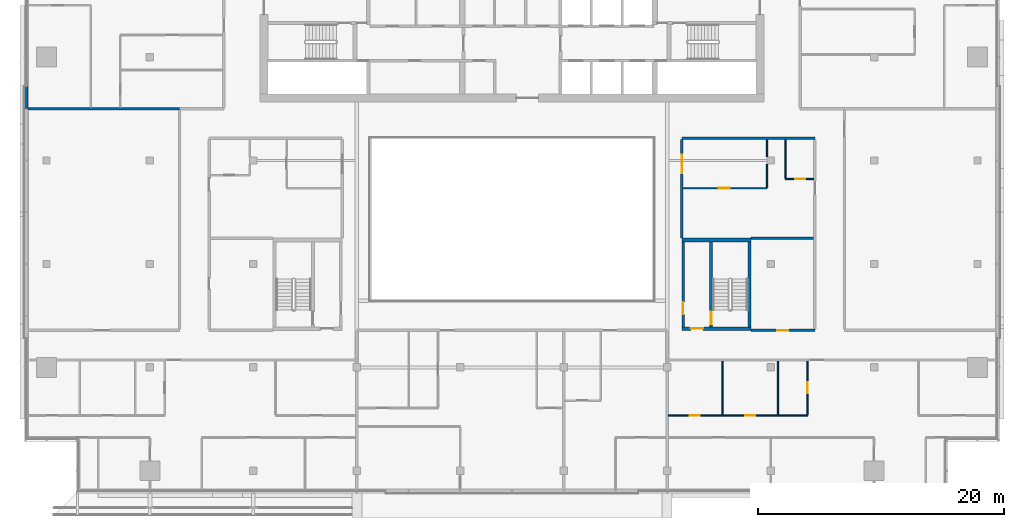
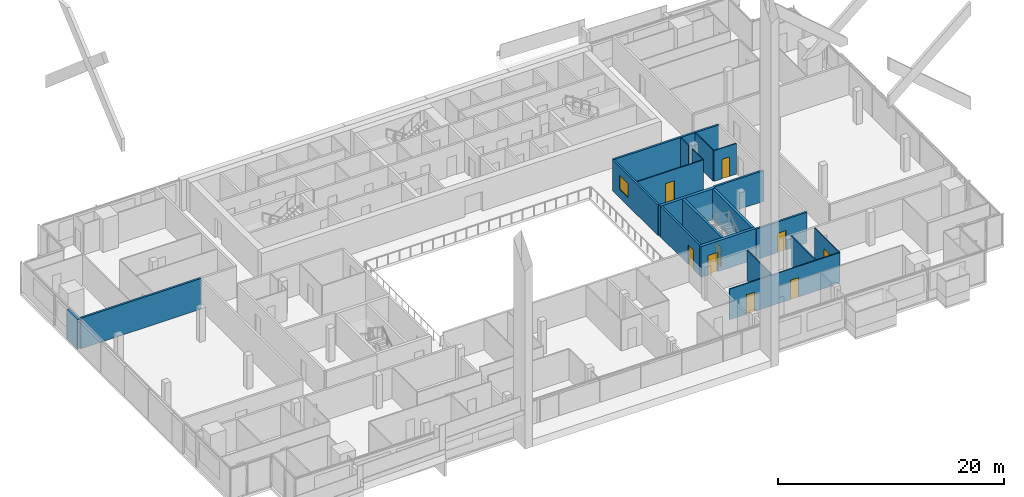
# One storey, part 21 of 31: 20 walls, 9 doors, 1 window, 10 openings.
"""IFC4 building model written with IfcOpenShell, lengths in metres."""

from ifc_helpers import new_model, si_unit, direction, frame, frame_2d, origin, place, context, subcontext, project, spatial, rectangle, extrude, material, layer, layer_set, type_object, element, fill, save


model = new_model("IFC4")

# Units and contexts
model_context = context("Model", 3, precision=1e-05, world=origin(), true_north=direction((0.0, 1.0)))
body_context = subcontext(model_context, "Body", "Model", "MODEL_VIEW")
ifc_project = project(units=[si_unit("LENGTHUNIT", "METRE"), si_unit("AREAUNIT", "SQUARE_METRE"), si_unit("VOLUMEUNIT", "CUBIC_METRE"), si_unit("PLANEANGLEUNIT", "RADIAN"), si_unit("MASSUNIT", "GRAM", prefix="KILO")], contexts=[model_context])

# Site, building, storey
site_placement = place(None, origin())
site = spatial("IfcSite", under=ifc_project, at=site_placement, CompositionType="ELEMENT")
building_placement = place(site_placement, origin())
building = spatial("IfcBuilding", under=site, at=building_placement, Name="Saffron Gate Tower", CompositionType="ELEMENT")
storey_placement = place(building_placement, frame((0.0, 0.0, 205.5)))
storey = spatial("IfcBuildingStorey", under=building, at=storey_placement, Name="L49", CompositionType="ELEMENT", Elevation=205.5)

# Wall, opening, door
ifc_material_1 = material(Name="Gypsum board partition on steel studs", Category="steel")
ifc_layer_1 = layer(ifc_material_1, 0.199951171875)
ifc_layer_set_1 = layer_set([ifc_layer_1], Name="CW10 Core partition 200")
wall_type_1 = type_object("IfcWallType", Name="CW10 Core partition 200", PredefinedType="PARTITIONING", material=ifc_layer_set_1)
wall_1_placement = place(storey_placement, frame((101.5, 43.5, 0.0), z_axis=(0.0, 0.0, 1.0), x_axis=(0.0, 1.0, 0.0)))
wall_1 = element("IfcWall", 1, at=wall_1_placement, inside=storey, type_object=wall_type_1, Name="Wall CW10-L49-E-2", PredefinedType="PARTITIONING", context=body_context, shape_type="SweptSolid", body=[
    extrude(rectangle(XDim=6.89990234375, YDim=0.199951171875, at=frame_2d((3.449951171875, 0.0))), origin(), (0.0, 0.0, 1.0), 3.320068359375),
])
opening_1_placement = place(wall_1_placement, frame((1.0, 0.0, 0.0)))
opening_1 = element("IfcOpeningElement", 2, at=opening_1_placement, cuts=wall_1, Name="Opening CR-22", PredefinedType="OPENING", context=body_context, shape_type="SweptSolid", body=[
    extrude(rectangle(XDim=1.0, YDim=2.10009765625, at=frame_2d((0.5, 1.050048828125))), frame((0.0, 0.10986328125, 0.0), z_axis=(0.0, -1.0, 0.0), x_axis=(1.0, 0.0, 0.0)), (0.0, 0.0, 1.0), 0.219970703125),
])
ifc_material_2 = material(Name="Steel fire door set", Category="steel")
door_type_1 = type_object("IfcDoorType", Name="CD4 Lobby door 1000x2100 EI 120", OperationType="NOTDEFINED", PredefinedType="DOOR", material=ifc_material_2)
door_1_placement = place(opening_1_placement, origin())
door_1 = element("IfcDoor", 3, at=door_1_placement, inside=storey, type_object=door_type_1, Name="DOOR CR-22", OperationType="SINGLE_SWING_LEFT", OverallHeight=2.10009765625, OverallWidth=1.0, PredefinedType="DOOR", context=body_context, shape_type="SweptSolid", body=[
    extrude(rectangle(XDim=1.0, YDim=2.10009765625, at=frame_2d((0.5, 1.050048828125))), frame((0.0, 0.02490234375, 0.0), z_axis=(0.0, -1.0, 0.0), x_axis=(1.0, 0.0, 0.0)), (0.0, 0.0, 1.0), 0.050048828125),
])
fill(opening_1, door_1)

ifc_material_3 = material(Name="Concrete C60", Category="concrete")
ifc_layer_2 = layer(ifc_material_3, 0.25)
ifc_layer_set_2 = layer_set([ifc_layer_2], Name="CW14 RC core wall 250 C60")
wall_type_2 = type_object("IfcWallType", Name="CW14 RC core wall 250 C60", PredefinedType="SOLIDWALL", material=ifc_layer_set_2)
wall_2_placement = place(storey_placement, frame((103.77490234375, 43.5, 0.0), z_axis=(0.0, 0.0, 1.0), x_axis=(0.0, 1.0, 0.0)))
wall_2 = element("IfcWall", 4, at=wall_2_placement, inside=storey, type_object=wall_type_2, Name="Wall CW14-L49-E-3", PredefinedType="SOLIDWALL", context=body_context, shape_type="SweptSolid", body=[
    extrude(rectangle(XDim=6.89990234375, YDim=0.25, at=frame_2d((3.449951171875, 0.0))), origin(), (0.0, 0.0, 1.0), 3.320068359375),
])
opening_2_placement = place(wall_2_placement, frame((0.199951171875, 0.0, 0.0)))
opening_2 = element("IfcOpeningElement", 5, at=opening_2_placement, cuts=wall_2, Name="Opening CR-23", PredefinedType="OPENING", context=body_context, shape_type="SweptSolid", body=[
    extrude(rectangle(XDim=1.0, YDim=2.10009765625, at=frame_2d((0.5, 1.050048828125))), frame((0.0, 0.135009765625, 0.0), z_axis=(0.0, -1.0, 0.0), x_axis=(1.0, 0.0, 0.0)), (0.0, 0.0, 1.0), 0.27001953125),
])
door_type_2 = type_object("IfcDoorType", Name="CD5 Stair door 1000x2100 EI 120", OperationType="NOTDEFINED", PredefinedType="DOOR", material=ifc_material_2)
door_2_placement = place(opening_2_placement, origin())
door_2 = element("IfcDoor", 6, at=door_2_placement, inside=storey, type_object=door_type_2, Name="DOOR CR-23", OperationType="SINGLE_SWING_RIGHT", OverallHeight=2.10009765625, OverallWidth=1.0, PredefinedType="DOOR", context=body_context, shape_type="SweptSolid", body=[
    extrude(rectangle(XDim=1.0, YDim=2.10009765625, at=frame_2d((0.5, 1.050048828125))), frame((0.0, 0.02490234375, 0.0), z_axis=(0.0, -1.0, 0.0), x_axis=(1.0, 0.0, 0.0)), (0.0, 0.0, 1.0), 0.050048828125),
])
fill(opening_2, door_2)

# Wall
wall_3_placement = place(storey_placement, frame((106.875, 43.5, 0.0), z_axis=(0.0, 0.0, 1.0), x_axis=(0.0, 1.0, 0.0)))
element("IfcWall", 7, at=wall_3_placement, inside=storey, type_object=wall_type_2, Name="Wall CW14-L49-E-4", PredefinedType="SOLIDWALL", context=body_context, shape_type="SweptSolid", body=[
    extrude(rectangle(XDim=6.89990234375, YDim=0.25, at=frame_2d((3.449951171875, 0.0))), origin(), (0.0, 0.0, 1.0), 3.320068359375),
])

# Wall, opening, door
ifc_layer_3 = layer(ifc_material_3, 0.300048828125)
ifc_layer_set_3 = layer_set([ifc_layer_3], Name="CW17 RC core wall 300 C60")
wall_type_3 = type_object("IfcWallType", Name="CW17 RC core wall 300 C60", PredefinedType="SOLIDWALL", material=ifc_layer_set_3)
wall_4_placement = place(storey_placement, frame((101.39990234375, 43.35009765625, 0.0), z_axis=(0.0, 0.0, 1.0), x_axis=(1.0, 0.0, 0.0)))
wall_4 = element("IfcWall", 8, at=wall_4_placement, inside=storey, type_object=wall_type_3, Name="Wall CW17-L49-E-1", PredefinedType="SOLIDWALL", context=body_context, shape_type="SweptSolid", body=[
    extrude(rectangle(XDim=5.60009765625, YDim=0.300048828125, at=frame_2d((2.800048828125, 0.0))), origin(), (0.0, 0.0, 1.0), 3.320068359375),
])
opening_3_placement = place(wall_4_placement, frame((0.72509765625, 0.0, 0.0)))
opening_3 = element("IfcOpeningElement", 9, at=opening_3_placement, cuts=wall_4, Name="Opening CR-21", PredefinedType="OPENING", context=body_context, shape_type="SweptSolid", body=[
    extrude(rectangle(XDim=1.0, YDim=2.10009765625, at=frame_2d((0.5, 1.050048828125))), frame((0.0, 0.16015625, 0.0), z_axis=(0.0, -1.0, 0.0), x_axis=(1.0, 0.0, 0.0)), (0.0, 0.0, 1.0), 0.320068359375),
])
door_3_placement = place(opening_3_placement, origin())
door_3 = element("IfcDoor", 10, at=door_3_placement, inside=storey, type_object=door_type_1, Name="DOOR CR-21", OperationType="SINGLE_SWING_RIGHT", OverallHeight=2.10009765625, OverallWidth=1.0, PredefinedType="DOOR", context=body_context, shape_type="SweptSolid", body=[
    extrude(rectangle(XDim=1.0, YDim=2.10009765625, at=frame_2d((0.5, 1.050048828125))), frame((0.0, 0.02490234375, 0.0), z_axis=(0.0, -1.0, 0.0), x_axis=(1.0, 0.0, 0.0)), (0.0, 0.0, 1.0), 0.050048828125),
])
fill(opening_3, door_3)

# Wall
wall_5_placement = place(storey_placement, frame((101.39990234375, 50.550048828125, 0.0), z_axis=(0.0, 0.0, 1.0), x_axis=(1.0, 0.0, 0.0)))
element("IfcWall", 11, at=wall_5_placement, inside=storey, type_object=wall_type_3, Name="Wall CW17-L49-E-5", PredefinedType="SOLIDWALL", context=body_context, shape_type="SweptSolid", body=[
    extrude(rectangle(XDim=5.60009765625, YDim=0.300048828125, at=frame_2d((2.800048828125, 0.0))), origin(), (0.0, 0.0, 1.0), 3.320068359375),
])

# Wall, openings, doors
ifc_material_4 = material(Name="Plasterboard on steel studs", Category="steel")
ifc_layer_4 = layer(ifc_material_4, 0.10009765625)
ifc_layer_set_4 = layer_set([ifc_layer_4], Name="PW1 Partition 100")
wall_type_4 = type_object("IfcWallType", Name="PW1 Partition 100", PredefinedType="PARTITIONING", material=ifc_layer_set_4)
wall_6_placement = place(storey_placement, frame((100.300048828125, 36.300048828125, 0.0), z_axis=(0.0, 0.0, 1.0), x_axis=(1.0, 0.0, 0.0)))
wall_6 = element("IfcWall", 12, at=wall_6_placement, inside=storey, type_object=wall_type_4, Name="Partition D1-7", PredefinedType="PARTITIONING", context=body_context, shape_type="SweptSolid", body=[
    extrude(rectangle(XDim=11.300048828125, YDim=0.10009765625, at=frame_2d((5.64990234375, 0.0))), origin(), (0.0, 0.0, 1.0), 3.320068359375),
])
opening_4_placement = place(wall_6_placement, frame((1.75, 0.0, 0.0)))
opening_4 = element("IfcOpeningElement", 13, at=opening_4_placement, cuts=wall_6, Name="Opening D1-36", PredefinedType="OPENING", context=body_context, shape_type="SweptSolid", body=[
    extrude(rectangle(XDim=0.800048828125, YDim=2.10009765625, at=frame_2d((0.39990234375, 1.050048828125))), frame((0.0, 0.06005859375, 0.0), z_axis=(0.0, -1.0, 0.0), x_axis=(1.0, 0.0, 0.0)), (0.0, 0.0, 1.0), 0.1201171875),
])
opening_5_placement = place(wall_6_placement, frame((6.25, 0.0, 0.0)))
opening_5 = element("IfcOpeningElement", 14, at=opening_5_placement, cuts=wall_6, Name="Opening D1-37", PredefinedType="OPENING", context=body_context, shape_type="SweptSolid", body=[
    extrude(rectangle(XDim=0.800048828125, YDim=2.10009765625, at=frame_2d((0.39990234375, 1.050048828125))), frame((0.0, 0.06005859375, 0.0), z_axis=(0.0, -1.0, 0.0), x_axis=(1.0, 0.0, 0.0)), (0.0, 0.0, 1.0), 0.1201171875),
])
ifc_material_5 = material(Name="Timber door set", Category="wood")
door_type_3 = type_object("IfcDoorType", Name="RD2 Bathroom door 800x2100", OperationType="NOTDEFINED", PredefinedType="DOOR", material=ifc_material_5)
door_4_placement = place(opening_4_placement, origin())
door_4 = element("IfcDoor", 15, at=door_4_placement, inside=storey, type_object=door_type_3, Name="Door D1-36", OperationType="SINGLE_SWING_LEFT", OverallHeight=2.10009765625, OverallWidth=0.800048828125, PredefinedType="DOOR", context=body_context, shape_type="SweptSolid", body=[
    extrude(rectangle(XDim=0.800048828125, YDim=2.10009765625, at=frame_2d((0.39990234375, 1.050048828125))), frame((0.0, 0.02490234375, 0.0), z_axis=(0.0, -1.0, 0.0), x_axis=(1.0, 0.0, 0.0)), (0.0, 0.0, 1.0), 0.050048828125),
])
fill(opening_4, door_4)
door_5_placement = place(opening_5_placement, origin())
door_5 = element("IfcDoor", 16, at=door_5_placement, inside=storey, type_object=door_type_3, Name="Door D1-37", OperationType="SINGLE_SWING_RIGHT", OverallHeight=2.10009765625, OverallWidth=0.800048828125, PredefinedType="DOOR", context=body_context, shape_type="SweptSolid", body=[
    extrude(rectangle(XDim=0.800048828125, YDim=2.10009765625, at=frame_2d((0.39990234375, 1.050048828125))), frame((0.0, 0.02490234375, 0.0), z_axis=(0.0, -1.0, 0.0), x_axis=(1.0, 0.0, 0.0)), (0.0, 0.0, 1.0), 0.050048828125),
])
fill(opening_5, door_5)

# Wall, opening, door
wall_7_placement = place(storey_placement, frame((101.5, 54.75, 0.0), z_axis=(0.0, 0.0, 1.0), x_axis=(1.0, 0.0, 0.0)))
wall_7 = element("IfcWall", 17, at=wall_7_placement, inside=storey, type_object=wall_type_4, Name="Partition D1-24", PredefinedType="PARTITIONING", context=body_context, shape_type="SweptSolid", body=[
    extrude(rectangle(XDim=6.800048828125, YDim=0.10009765625, at=frame_2d((3.39990234375, 0.0))), origin(), (0.0, 0.0, 1.0), 3.320068359375),
])
opening_6_placement = place(wall_7_placement, frame((2.89990234375, 0.0, 0.0)))
opening_6 = element("IfcOpeningElement", 18, at=opening_6_placement, cuts=wall_7, Name="Opening D1-31", PredefinedType="OPENING", context=body_context, shape_type="SweptSolid", body=[
    extrude(rectangle(XDim=0.89990234375, YDim=2.10009765625, at=frame_2d((0.449951171875, 1.050048828125))), frame((0.0, 0.06005859375, 0.0), z_axis=(0.0, -1.0, 0.0), x_axis=(1.0, 0.0, 0.0)), (0.0, 0.0, 1.0), 0.1201171875),
])
door_type_4 = type_object("IfcDoorType", Name="RD1 Room door 900x2100", OperationType="NOTDEFINED", PredefinedType="DOOR", material=ifc_material_5)
door_6_placement = place(opening_6_placement, origin())
door_6 = element("IfcDoor", 19, at=door_6_placement, inside=storey, type_object=door_type_4, Name="Door D1-31", OperationType="SINGLE_SWING_LEFT", OverallHeight=2.10009765625, OverallWidth=0.89990234375, PredefinedType="DOOR", context=body_context, shape_type="SweptSolid", body=[
    extrude(rectangle(XDim=0.89990234375, YDim=2.10009765625, at=frame_2d((0.449951171875, 1.050048828125))), frame((0.0, 0.02490234375, 0.0), z_axis=(0.0, -1.0, 0.0), x_axis=(1.0, 0.0, 0.0)), (0.0, 0.0, 1.0), 0.050048828125),
])
fill(opening_6, door_6)

wall_8_placement = place(storey_placement, frame((109.800048828125, 55.5, 0.0), z_axis=(0.0, 0.0, 1.0), x_axis=(1.0, 0.0, 0.0)))
wall_8 = element("IfcWall", 20, at=wall_8_placement, inside=storey, type_object=wall_type_4, Name="Partition D1-25", PredefinedType="PARTITIONING", context=body_context, shape_type="SweptSolid", body=[
    extrude(rectangle(XDim=2.300048828125, YDim=0.10009765625, at=frame_2d((1.14990234375, 0.0))), origin(), (0.0, 0.0, 1.0), 3.320068359375),
])
opening_7_placement = place(wall_8_placement, frame((0.800048828125, 0.0, 0.0)))
opening_7 = element("IfcOpeningElement", 21, at=opening_7_placement, cuts=wall_8, Name="Opening D1-41", PredefinedType="OPENING", context=body_context, shape_type="SweptSolid", body=[
    extrude(rectangle(XDim=0.800048828125, YDim=2.10009765625, at=frame_2d((0.39990234375, 1.050048828125))), frame((0.0, 0.06005859375, 0.0), z_axis=(0.0, -1.0, 0.0), x_axis=(1.0, 0.0, 0.0)), (0.0, 0.0, 1.0), 0.1201171875),
])
door_7_placement = place(opening_7_placement, origin())
door_7 = element("IfcDoor", 22, at=door_7_placement, inside=storey, type_object=door_type_3, Name="Door D1-41", OperationType="SINGLE_SWING_RIGHT", OverallHeight=2.10009765625, OverallWidth=0.800048828125, PredefinedType="DOOR", context=body_context, shape_type="SweptSolid", body=[
    extrude(rectangle(XDim=0.800048828125, YDim=2.10009765625, at=frame_2d((0.39990234375, 1.050048828125))), frame((0.0, 0.02490234375, 0.0), z_axis=(0.0, -1.0, 0.0), x_axis=(1.0, 0.0, 0.0)), (0.0, 0.0, 1.0), 0.050048828125),
])
fill(opening_7, door_7)

# Walls
wall_9_placement = place(storey_placement, frame((104.699951171875, 40.699951171875, 0.0), z_axis=(0.0, 0.0, 1.0), x_axis=(0.0, -1.0, 0.0)))
element("IfcWall", 23, at=wall_9_placement, inside=storey, type_object=wall_type_4, Name="Partition D1-83", PredefinedType="PARTITIONING", context=body_context, shape_type="SweptSolid", body=[
    extrude(rectangle(XDim=4.349853515625, YDim=0.10009765625, at=frame_2d((2.1748046875, 0.0))), origin(), (0.0, 0.0, 1.0), 3.320068359375),
])
wall_10_placement = place(storey_placement, frame((108.300048828125, 56.679931640625, 0.0), z_axis=(0.0, 0.0, 1.0), x_axis=(0.0, -1.0, 0.0)))
element("IfcWall", 24, at=wall_10_placement, inside=storey, type_object=wall_type_4, Name="Partition D1-84", PredefinedType="PARTITIONING", context=body_context, shape_type="SweptSolid", body=[
    extrude(rectangle(XDim=1.8798828125, YDim=0.10009765625, at=frame_2d((0.93994140625, 0.0))), origin(), (0.0, 0.0, 1.0), 3.320068359375),
])
wall_11_placement = place(storey_placement, frame((108.300048828125, 58.699951171875, 0.0), z_axis=(0.0, 0.0, 1.0), x_axis=(0.0, -1.0, 0.0)))
element("IfcWall", 25, at=wall_11_placement, inside=storey, type_object=wall_type_4, Name="Partition D1-85", PredefinedType="PARTITIONING", context=body_context, shape_type="SweptSolid", body=[
    extrude(rectangle(XDim=1.3798828125, YDim=0.10009765625, at=frame_2d((0.68994140625, 0.0))), origin(), (0.0, 0.0, 1.0), 3.320068359375),
])
wall_12_placement = place(storey_placement, frame((109.199951171875, 40.699951171875, 0.0), z_axis=(0.0, 0.0, 1.0), x_axis=(0.0, -1.0, 0.0)))
element("IfcWall", 26, at=wall_12_placement, inside=storey, type_object=wall_type_4, Name="Partition D1-88", PredefinedType="PARTITIONING", context=body_context, shape_type="SweptSolid", body=[
    extrude(rectangle(XDim=4.349853515625, YDim=0.10009765625, at=frame_2d((2.1748046875, 0.0))), origin(), (0.0, 0.0, 1.0), 3.320068359375),
])
wall_13_placement = place(storey_placement, frame((109.800048828125, 58.699951171875, 0.0), z_axis=(0.0, 0.0, 1.0), x_axis=(0.0, -1.0, 0.0)))
element("IfcWall", 27, at=wall_13_placement, inside=storey, type_object=wall_type_4, Name="Partition D1-89", PredefinedType="PARTITIONING", context=body_context, shape_type="SweptSolid", body=[
    extrude(rectangle(XDim=3.14990234375, YDim=0.10009765625, at=frame_2d((1.574951171875, 0.0))), origin(), (0.0, 0.0, 1.0), 3.320068359375),
])

# Wall, opening, door
wall_14_placement = place(storey_placement, frame((111.60009765625, 36.35009765625, 0.0), z_axis=(0.0, 0.0, 1.0), x_axis=(0.0, 1.0, 0.0)))
wall_14 = element("IfcWall", 28, at=wall_14_placement, inside=storey, type_object=wall_type_4, Name="Partition D1-91", PredefinedType="PARTITIONING", context=body_context, shape_type="SweptSolid", body=[
    extrude(rectangle(XDim=4.349853515625, YDim=0.10009765625, at=frame_2d((2.1748046875, 0.0))), origin(), (0.0, 0.0, 1.0), 3.320068359375),
])
opening_8_placement = place(wall_14_placement, frame((1.75, 0.0, 0.0)))
opening_8 = element("IfcOpeningElement", 29, at=opening_8_placement, cuts=wall_14, Name="Opening D1-23", PredefinedType="OPENING", context=body_context, shape_type="SweptSolid", body=[
    extrude(rectangle(XDim=0.89990234375, YDim=2.10009765625, at=frame_2d((0.449951171875, 1.050048828125))), frame((0.0, 0.06005859375, 0.0), z_axis=(0.0, -1.0, 0.0), x_axis=(1.0, 0.0, 0.0)), (0.0, 0.0, 1.0), 0.1201171875),
])
door_8_placement = place(opening_8_placement, origin())
door_8 = element("IfcDoor", 30, at=door_8_placement, inside=storey, type_object=door_type_4, Name="Door D1-23", OperationType="SINGLE_SWING_RIGHT", OverallHeight=2.10009765625, OverallWidth=0.89990234375, PredefinedType="DOOR", context=body_context, shape_type="SweptSolid", body=[
    extrude(rectangle(XDim=0.89990234375, YDim=2.10009765625, at=frame_2d((0.449951171875, 1.050048828125))), frame((0.0, 0.02490234375, 0.0), z_axis=(0.0, -1.0, 0.0), x_axis=(1.0, 0.0, 0.0)), (0.0, 0.0, 1.0), 0.050048828125),
])
fill(opening_8, door_8)

# Wall
ifc_material_6 = material(Name="Clay brick masonry, rendered", Category="masonry")
ifc_layer_5 = layer(ifc_material_6, 0.199951171875)
ifc_layer_set_5 = layer_set([ifc_layer_5], Name="PW2 Demising wall 200")
wall_type_5 = type_object("IfcWallType", Name="PW2 Demising wall 200", PredefinedType="PARTITIONING", material=ifc_layer_set_5)
wall_15_placement = place(storey_placement, frame((107.0, 50.699951171875, 0.0), z_axis=(0.0, 0.0, 1.0), x_axis=(1.0, 0.0, 0.0)))
element("IfcWall", 31, at=wall_15_placement, inside=storey, type_object=wall_type_5, Name="Wall D1-22", PredefinedType="PARTITIONING", context=body_context, shape_type="SweptSolid", body=[
    extrude(rectangle(XDim=5.10009765625, YDim=0.199951171875, at=frame_2d((2.550048828125, 0.0))), origin(), (0.0, 0.0, 1.0), 3.320068359375),
])

# Wall, opening, door
ifc_layer_6 = layer(ifc_material_6, 0.199951171875)
ifc_layer_set_6 = layer_set([ifc_layer_6], Name="PW3 Corridor wall 200")
wall_type_6 = type_object("IfcWallType", Name="PW3 Corridor wall 200", PredefinedType="PARTITIONING", material=ifc_layer_set_6)
wall_16_placement = place(storey_placement, frame((107.0, 43.199951171875, 0.0), z_axis=(0.0, 0.0, 1.0), x_axis=(1.0, 0.0, 0.0)))
wall_16 = element("IfcWall", 32, at=wall_16_placement, inside=storey, type_object=wall_type_6, Name="Wall D1-19", PredefinedType="PARTITIONING", context=body_context, shape_type="SweptSolid", body=[
    extrude(rectangle(XDim=5.199951171875, YDim=0.199951171875, at=frame_2d((2.60009765625, 0.0))), origin(), (0.0, 0.0, 1.0), 3.320068359375),
])
opening_9_placement = place(wall_16_placement, frame((2.14990234375, 0.0, 0.0)))
opening_9 = element("IfcOpeningElement", 33, at=opening_9_placement, cuts=wall_16, Name="Opening D1-42", PredefinedType="OPENING", context=body_context, shape_type="SweptSolid", body=[
    extrude(rectangle(XDim=0.89990234375, YDim=2.10009765625, at=frame_2d((0.449951171875, 1.050048828125))), frame((0.0, 0.10986328125, 0.0), z_axis=(0.0, -1.0, 0.0), x_axis=(1.0, 0.0, 0.0)), (0.0, 0.0, 1.0), 0.219970703125),
])
door_type_5 = type_object("IfcDoorType", Name="SD1 Service door 900x2100", OperationType="NOTDEFINED", PredefinedType="DOOR", material=ifc_material_2)
door_9_placement = place(opening_9_placement, origin())
door_9 = element("IfcDoor", 34, at=door_9_placement, inside=storey, type_object=door_type_5, Name="Door D1-42", OperationType="SINGLE_SWING_LEFT", OverallHeight=2.10009765625, OverallWidth=0.89990234375, PredefinedType="DOOR", context=body_context, shape_type="SweptSolid", body=[
    extrude(rectangle(XDim=0.89990234375, YDim=2.10009765625, at=frame_2d((0.449951171875, 1.050048828125))), frame((0.0, 0.02490234375, 0.0), z_axis=(0.0, -1.0, 0.0), x_axis=(1.0, 0.0, 0.0)), (0.0, 0.0, 1.0), 0.050048828125),
])
fill(opening_9, door_9)

# Wall
wall_17_placement = place(storey_placement, frame((101.39990234375, 58.800048828125, 0.0), z_axis=(0.0, 0.0, 1.0), x_axis=(1.0, 0.0, 0.0)))
element("IfcWall", 35, at=wall_17_placement, inside=storey, type_object=wall_type_6, Name="Wall D1-28", PredefinedType="PARTITIONING", context=body_context, shape_type="SweptSolid", body=[
    extrude(rectangle(XDim=10.800048828125, YDim=0.199951171875, at=frame_2d((5.39990234375, 0.0))), origin(), (0.0, 0.0, 1.0), 3.320068359375),
])

# Wall, opening, window
wall_18_placement = place(storey_placement, frame((101.39990234375, 58.699951171875, 0.0), z_axis=(0.0, 0.0, 1.0), x_axis=(0.0, -1.0, 0.0)))
wall_18 = element("IfcWall", 36, at=wall_18_placement, inside=storey, type_object=wall_type_6, Name="Wall D1-82", PredefinedType="PARTITIONING", context=body_context, shape_type="SweptSolid", body=[
    extrude(rectangle(XDim=8.0, YDim=0.199951171875, at=frame_2d((4.0, 0.0))), origin(), (0.0, 0.0, 1.0), 3.320068359375),
])
opening_10_placement = place(wall_18_placement, frame((1.22509765625, 0.0, 0.89990234375)))
opening_10 = element("IfcOpeningElement", 37, at=opening_10_placement, cuts=wall_18, Name="Opening GW1", PredefinedType="OPENING", context=body_context, shape_type="SweptSolid", body=[
    extrude(rectangle(XDim=1.5, YDim=1.5, at=frame_2d((0.75, 0.75))), frame((0.0, 0.10986328125, 0.0), z_axis=(0.0, -1.0, 0.0), x_axis=(1.0, 0.0, 0.0)), (0.0, 0.0, 1.0), 0.219970703125),
])
ifc_material_7 = material(Name="Fire-resisting laminated glass in steel frame", Category="steel")
ifc_layer_7 = layer(ifc_material_7, 0.06005859375)
ifc_layer_set_7 = layer_set([ifc_layer_7], Name="GW1 Gallery window 1500x1500")
window_type = type_object("IfcWindowType", Name="GW1 Gallery window 1500x1500", PartitioningType="SINGLE_PANEL", PredefinedType="WINDOW", material=ifc_layer_set_7)
window_placement = place(opening_10_placement, origin())
window = element("IfcWindow", 38, at=window_placement, inside=storey, type_object=window_type, Name="GW1 window D1-K-B1", OverallHeight=1.5, OverallWidth=1.5, PartitioningType="SINGLE_PANEL", PredefinedType="WINDOW", context=body_context, shape_type="SweptSolid", body=[
    extrude(rectangle(XDim=1.5, YDim=1.5, at=frame_2d((0.75, 0.75))), frame((0.0, 0.030029296875, 0.0), z_axis=(0.0, -1.0, 0.0), x_axis=(1.0, 0.0, 0.0)), (0.0, 0.0, 1.0), 0.06005859375),
])
fill(opening_10, window)

# Walls
ifc_layer_8 = layer(ifc_material_6, 0.199951171875)
ifc_layer_set_8 = layer_set([ifc_layer_8], Name="PW5 Room wall 200")
wall_type_7 = type_object("IfcWallType", Name="PW5 Room wall 200", PredefinedType="PARTITIONING", material=ifc_layer_set_8)
wall_19_placement = place(storey_placement, frame((48.280029296875, 61.199951171875, 0.0), z_axis=(0.0, 0.0, 1.0), x_axis=(1.0, 0.0, 0.0)))
element("IfcWall", 39, at=wall_19_placement, inside=storey, type_object=wall_type_7, Name="Wall D1-31", PredefinedType="PARTITIONING", context=body_context, shape_type="SweptSolid", body=[
    extrude(rectangle(XDim=12.320068359375, YDim=0.199951171875, at=frame_2d((6.16015625, 0.0))), origin(), (0.0, 0.0, 1.0), 3.320068359375),
])
ifc_material_8 = material(Name="Reinforced concrete C40/50 with mineral wool insulation", Category="concrete")
ifc_layer_9 = layer(ifc_material_8, 0.30810546875)
ifc_layer_set_9 = layer_set([ifc_layer_9], Name="WBAY3 arch bay insulated wall")
wall_type_8 = type_object("IfcWallType", Name="WBAY3 arch bay insulated wall", PredefinedType="SOLIDWALL", material=ifc_layer_set_9)
wall_20_placement = place(storey_placement, frame((48.154052734375, 61.22998046875, 0.0), z_axis=(0.0, 0.0, 1.0), x_axis=(0.0, 1.0, 0.0)))
element("IfcWall", 40, at=wall_20_placement, inside=storey, type_object=wall_type_8, Name="ARCH BAY wall", PredefinedType="SOLIDWALL", context=body_context, shape_type="SweptSolid", body=[
    extrude(rectangle(XDim=1.8193359375, YDim=0.30810546875, at=frame_2d((0.90966796875, 0.0))), origin(), (0.0, 0.0, 1.0), 3.199951171875),
])

save(model, "model.ifc")
